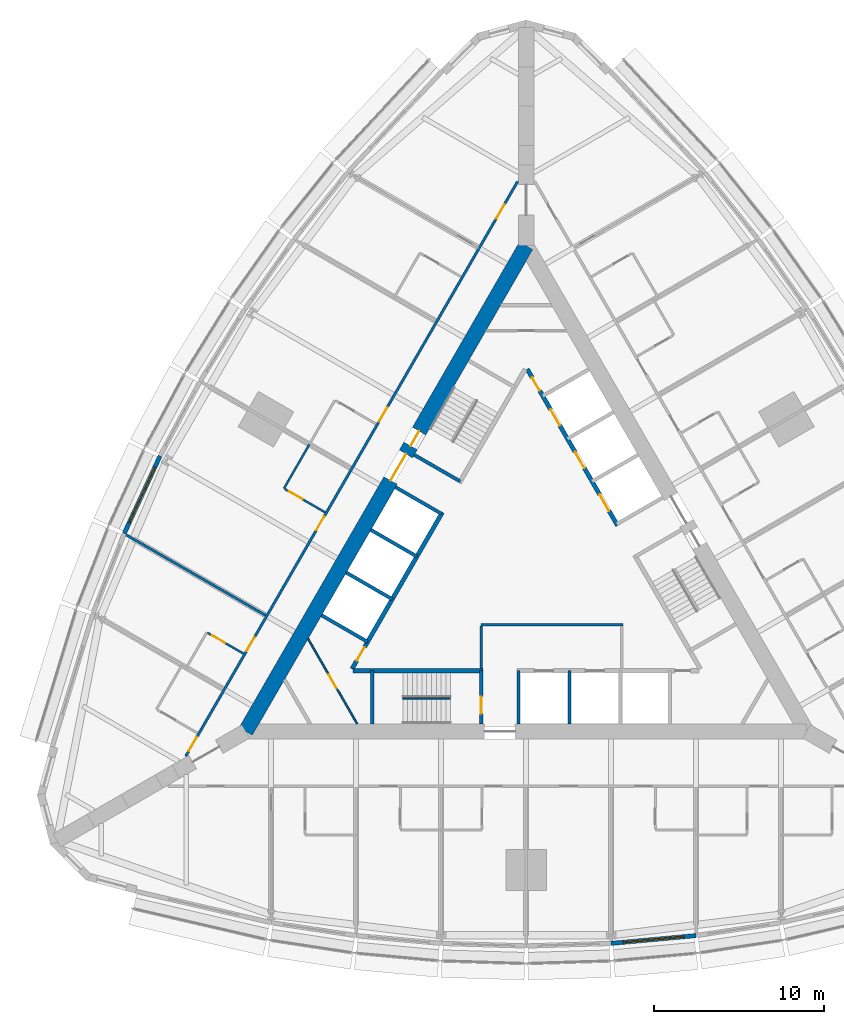
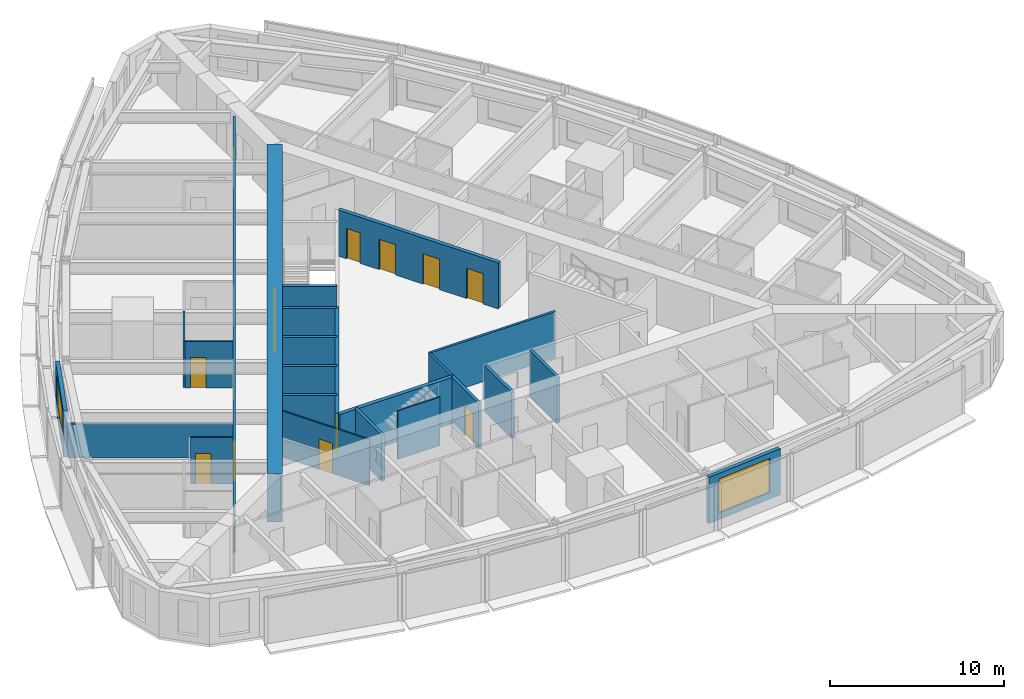
# One storey, part 9 of 14: 24 walls, 16 doors, 2 windows, 18 openings.
"""IFC4 building model written with IfcOpenShell, lengths in metres."""

from ifc_helpers import new_model, si_unit, direction, frame, frame_2d, origin, place, context, subcontext, project, spatial, rectangle, extrude, material, layer, layer_set, type_object, element, fill, save


model = new_model("IFC4")

# Units and contexts
model_context = context("Model", 3, precision=1e-05, world=origin(), true_north=direction((0.0, 1.0)))
body_context = subcontext(model_context, "Body", "Model", "MODEL_VIEW")
ifc_project = project(units=[si_unit("LENGTHUNIT", "METRE"), si_unit("AREAUNIT", "SQUARE_METRE"), si_unit("VOLUMEUNIT", "CUBIC_METRE"), si_unit("PLANEANGLEUNIT", "RADIAN"), si_unit("MASSUNIT", "GRAM", prefix="KILO")], contexts=[model_context])

# Site, building, storey
site_placement = place(None, origin())
site = spatial("IfcSite", under=ifc_project, at=site_placement, CompositionType="ELEMENT")
building_placement = place(site_placement, origin())
building = spatial("IfcBuilding", under=site, at=building_placement, Name="Trikona Tower", CompositionType="ELEMENT")
storey_placement = place(building_placement, frame((0.0, 0.0, 35.300048828125)))
storey = spatial("IfcBuildingStorey", under=building, at=storey_placement, Name="L07", CompositionType="ELEMENT", Elevation=35.300048828125)

# Wall
ifc_material_1 = material(Name="Metal stud and cement board", Category="gypsum")
ifc_layer_1 = layer(ifc_material_1, 0.1201171875)
ifc_layer_set_1 = layer_set([ifc_layer_1], Name="Bathroom wall 120")
wall_type_1 = type_object("IfcWallType", Name="Bathroom wall 120", PredefinedType="PLUMBINGWALL", material=ifc_layer_set_1)
wall_1_placement = place(storey_placement, frame((-12.75341796875, 7.363037109375, 0.0), z_axis=(0.0, 0.0, 1.0), x_axis=(-0.50002537861, -0.866010750942, 0.0)))
element("IfcWall", 1, at=wall_1_placement, inside=storey, type_object=wall_type_1, Name="Bathroom wall 0716", PredefinedType="PLUMBINGWALL", context=body_context, shape_type="SweptSolid", body=[
    extrude(rectangle(XDim=2.999755859375, YDim=0.1201171875, at=frame_2d((1.5, 0.0))), origin(), (0.0, 0.0, 1.0), 3.23486328125),
])

# Wall, opening, door
wall_2_placement = place(storey_placement, frame((-11.82861328125, 3.364990234375, 0.0), z_axis=(0.0, 0.0, 1.0), x_axis=(-0.865997131366, 0.500048966069, 0.0)))
wall_2 = element("IfcWall", 2, at=wall_2_placement, inside=storey, type_object=wall_type_1, Name="Bathroom wall 0716", PredefinedType="PLUMBINGWALL", context=body_context, shape_type="SweptSolid", body=[
    extrude(rectangle(XDim=2.739990234375, YDim=0.1201171875, at=frame_2d((1.3701171875, 0.0))), origin(), (0.0, 0.0, 1.0), 3.23486328125),
])
opening_1_placement = place(wall_2_placement, frame((1.550048828125, 0.0, 0.0)))
opening_1 = element("IfcOpeningElement", 3, at=opening_1_placement, cuts=wall_2, Name="Opening D2", PredefinedType="OPENING", context=body_context, shape_type="SweptSolid", body=[
    extrude(rectangle(XDim=0.89990234375, YDim=2.1298828125, at=frame_2d((0.449951171875, 1.06494140625))), frame((0.0, 0.070068359375, 0.0), z_axis=(0.0, -1.0, 0.0), x_axis=(1.0, 0.0, 0.0)), (0.0, 0.0, 1.0), 0.14013671875),
])
ifc_material_2 = material(Name="Steel door frame with solid-core timber leaf", Category="steel")
door_type_1 = type_object("IfcDoorType", Name="Bathroom door 900x2130", OperationType="SLIDING_TO_LEFT", PredefinedType="DOOR", material=ifc_material_2)
door_1_placement = place(opening_1_placement, origin())
door_1 = element("IfcDoor", 4, at=door_1_placement, inside=storey, type_object=door_type_1, Name="Bathroom door 0716", OperationType="SLIDING_TO_LEFT", OverallHeight=2.1298828125, OverallWidth=0.89990234375, PredefinedType="DOOR", context=body_context, shape_type="SweptSolid", body=[
    extrude(rectangle(XDim=0.89990234375, YDim=2.1298828125, at=frame_2d((0.449951171875, 1.06494140625))), frame((0.0, 0.02490234375, 0.0), z_axis=(0.0, -1.0, 0.0), x_axis=(1.0, 0.0, 0.0)), (0.0, 0.0, 1.0), 0.050048828125),
])
fill(opening_1, door_1)

wall_3_placement = place(storey_placement, frame((-16.62841796875, -4.94873046875, 0.0), z_axis=(0.0, 0.0, 1.0), x_axis=(-0.866048967903, 0.499959183527, 0.0)))
wall_3 = element("IfcWall", 5, at=wall_3_placement, inside=storey, type_object=wall_type_1, Name="Bathroom wall 0717", PredefinedType="PLUMBINGWALL", context=body_context, shape_type="SweptSolid", body=[
    extrude(rectangle(XDim=2.440185546875, YDim=0.1201171875, at=frame_2d((1.22021484375, 0.0))), origin(), (0.0, 0.0, 1.0), 3.23486328125),
])
opening_2_placement = place(wall_3_placement, frame((1.25, 0.0, 0.0)))
opening_2 = element("IfcOpeningElement", 6, at=opening_2_placement, cuts=wall_3, Name="Opening D2", PredefinedType="OPENING", context=body_context, shape_type="SweptSolid", body=[
    extrude(rectangle(XDim=0.89990234375, YDim=2.1298828125, at=frame_2d((0.449951171875, 1.06494140625))), frame((0.0, 0.070068359375, 0.0), z_axis=(0.0, -1.0, 0.0), x_axis=(1.0, 0.0, 0.0)), (0.0, 0.0, 1.0), 0.14013671875),
])
door_2_placement = place(opening_2_placement, origin())
door_2 = element("IfcDoor", 7, at=door_2_placement, inside=storey, type_object=door_type_1, Name="Bathroom door 0717", OperationType="SLIDING_TO_LEFT", OverallHeight=2.1298828125, OverallWidth=0.89990234375, PredefinedType="DOOR", context=body_context, shape_type="SweptSolid", body=[
    extrude(rectangle(XDim=0.89990234375, YDim=2.1298828125, at=frame_2d((0.449951171875, 1.06494140625))), frame((0.0, 0.02490234375, 0.0), z_axis=(0.0, -1.0, 0.0), x_axis=(1.0, 0.0, 0.0)), (0.0, 0.0, 1.0), 0.050048828125),
])
fill(opening_2, door_2)

# Wall, openings, doors
ifc_material_3 = material(Name="Concrete f'c 10000 psi", Category="concrete")
ifc_layer_2 = layer(ifc_material_3, 0.89990234375)
ifc_layer_set_2 = layer_set([ifc_layer_2], Name="Core wall 900")
wall_type_2 = type_object("IfcWallType", Name="Core wall 900", PredefinedType="SHEAR", material=ifc_layer_set_2)
wall_4_placement = place(storey_placement, frame((0.0, 19.052490234375, 0.0), z_axis=(0.0, 0.0, 1.0), x_axis=(-0.499999749417, -0.866025548458, 0.0)))
wall_4 = element("IfcWall", 8, at=wall_4_placement, inside=storey, type_object=wall_type_2, Name="Core wall C", PredefinedType="SHEAR", context=body_context, shape_type="SweptSolid", body=[
    extrude(rectangle(XDim=33.0, YDim=0.89990234375, at=frame_2d((16.5, 0.0))), origin(), (0.0, 0.0, 1.0), 3.39990234375),
])
opening_3_placement = place(wall_4_placement, frame((14.14990234375, 0.0, 0.0)))
opening_3 = element("IfcOpeningElement", 9, at=opening_3_placement, cuts=wall_4, Name="Opening D6", PredefinedType="OPENING", context=body_context, shape_type="SweptSolid", body=[
    extrude(rectangle(XDim=1.800048828125, YDim=2.1298828125, at=frame_2d((0.89990234375, 1.06494140625))), frame((0.0, 0.4599609375, 0.0), z_axis=(0.0, -1.0, 0.0), x_axis=(1.0, 0.0, 0.0)), (0.0, 0.0, 1.0), 0.919921875),
])
opening_4_placement = place(wall_4_placement, frame((12.60009765625, 0.0, 0.0)))
opening_4 = element("IfcOpeningElement", 10, at=opening_4_placement, cuts=wall_4, Name="Opening D5", PredefinedType="OPENING", context=body_context, shape_type="SweptSolid", body=[
    extrude(rectangle(XDim=1.0, YDim=2.1298828125, at=frame_2d((0.5, 1.06494140625))), frame((0.0, 0.4599609375, 0.0), z_axis=(0.0, -1.0, 0.0), x_axis=(1.0, 0.0, 0.0)), (0.0, 0.0, 1.0), 0.919921875),
])
ifc_material_4 = material(Name="Hollow metal door and frame", Category="steel")
door_type_2 = type_object("IfcDoorType", Name="Lobby door pair 1800x2130", OperationType="DOUBLE_DOOR_SINGLE_SWING", PredefinedType="DOOR", material=ifc_material_4)
door_3_placement = place(opening_3_placement, origin())
door_3 = element("IfcDoor", 11, at=door_3_placement, inside=storey, type_object=door_type_2, Name="Lift lobby door C", OperationType="DOUBLE_DOOR_SINGLE_SWING", OverallHeight=2.1298828125, OverallWidth=1.800048828125, PredefinedType="DOOR", context=body_context, shape_type="SweptSolid", body=[
    extrude(rectangle(XDim=1.800048828125, YDim=2.1298828125, at=frame_2d((0.89990234375, 1.06494140625))), frame((0.0, 0.02490234375, 0.0), z_axis=(0.0, -1.0, 0.0), x_axis=(1.0, 0.0, 0.0)), (0.0, 0.0, 1.0), 0.050048828125),
])
fill(opening_3, door_3)
ifc_material_5 = material(Name="Hollow metal door and frame", Category="steel")
door_type_3 = type_object("IfcDoorType", Name="Stair door 1000x2130", OperationType="SINGLE_SWING_LEFT", PredefinedType="DOOR", material=ifc_material_5)
door_4_placement = place(opening_4_placement, origin())
door_4 = element("IfcDoor", 12, at=door_4_placement, inside=storey, type_object=door_type_3, Name="Stair C door", OperationType="SINGLE_SWING_RIGHT", OverallHeight=2.1298828125, OverallWidth=1.0, PredefinedType="DOOR", context=body_context, shape_type="SweptSolid", body=[
    extrude(rectangle(XDim=1.0, YDim=2.1298828125, at=frame_2d((0.5, 1.06494140625))), frame((0.0, 0.02490234375, 0.0), z_axis=(0.0, -1.0, 0.0), x_axis=(1.0, 0.0, 0.0)), (0.0, 0.0, 1.0), 0.050048828125),
])
fill(opening_4, door_4)

ifc_material_6 = material(Name="Metal stud and gypsum board, 1-hour", Category="gypsum")
ifc_layer_3 = layer(ifc_material_6, 0.14990234375)
ifc_layer_set_3 = layer_set([ifc_layer_3], Name="Corridor wall 150")
wall_type_3 = type_object("IfcWallType", Name="Corridor wall 150", PredefinedType="PARTITIONING", material=ifc_layer_set_3)
wall_5_placement = place(storey_placement, frame((-0.5, 22.83642578125, 0.0), z_axis=(0.0, 0.0, 1.0), x_axis=(-0.500001677587, -0.866024435227, 0.0)))
wall_5 = element("IfcWall", 13, at=wall_5_placement, inside=storey, type_object=wall_type_3, Name="Corridor wall L07-3", PredefinedType="PARTITIONING", context=body_context, shape_type="SweptSolid", body=[
    extrude(rectangle(XDim=39.053955078125, YDim=0.14990234375, at=frame_2d((19.52685546875, 0.0))), origin(), (0.0, 0.0, 1.0), 3.23486328125),
])
opening_5_placement = place(wall_5_placement, frame((1.558349609375, 0.0, 0.0)))
opening_5 = element("IfcOpeningElement", 14, at=opening_5_placement, cuts=wall_5, Name="Opening D1", PredefinedType="OPENING", context=body_context, shape_type="SweptSolid", body=[
    extrude(rectangle(XDim=0.949951171875, YDim=2.1298828125, at=frame_2d((0.47509765625, 1.06494140625))), frame((0.0, 0.0849609375, 0.0), z_axis=(0.0, -1.0, 0.0), x_axis=(1.0, 0.0, 0.0)), (0.0, 0.0, 1.0), 0.169921875),
])
opening_6_placement = place(wall_5_placement, frame((15.35205078125, 0.0, 0.0)))
opening_6 = element("IfcOpeningElement", 15, at=opening_6_placement, cuts=wall_5, Name="Opening D1", PredefinedType="OPENING", context=body_context, shape_type="SweptSolid", body=[
    extrude(rectangle(XDim=0.949951171875, YDim=2.1298828125, at=frame_2d((0.47509765625, 1.06494140625))), frame((0.0, 0.0849609375, 0.0), z_axis=(0.0, -1.0, 0.0), x_axis=(1.0, 0.0, 0.0)), (0.0, 0.0, 1.0), 0.169921875),
])
opening_7_placement = place(wall_5_placement, frame((22.751953125, 0.0, 0.0)))
opening_7 = element("IfcOpeningElement", 16, at=opening_7_placement, cuts=wall_5, Name="Opening D1", PredefinedType="OPENING", context=body_context, shape_type="SweptSolid", body=[
    extrude(rectangle(XDim=0.949951171875, YDim=2.1298828125, at=frame_2d((0.47509765625, 1.06494140625))), frame((0.0, 0.0849609375, 0.0), z_axis=(0.0, -1.0, 0.0), x_axis=(1.0, 0.0, 0.0)), (0.0, 0.0, 1.0), 0.169921875),
])
opening_8_placement = place(wall_5_placement, frame((30.951904296875, 0.0, 0.0)))
opening_8 = element("IfcOpeningElement", 17, at=opening_8_placement, cuts=wall_5, Name="Opening D1", PredefinedType="OPENING", context=body_context, shape_type="SweptSolid", body=[
    extrude(rectangle(XDim=0.949951171875, YDim=2.1298828125, at=frame_2d((0.47509765625, 1.06494140625))), frame((0.0, 0.0849609375, 0.0), z_axis=(0.0, -1.0, 0.0), x_axis=(1.0, 0.0, 0.0)), (0.0, 0.0, 1.0), 0.169921875),
])
opening_9_placement = place(wall_5_placement, frame((37.751953125, 0.0, 0.0)))
opening_9 = element("IfcOpeningElement", 18, at=opening_9_placement, cuts=wall_5, Name="Opening D1", PredefinedType="OPENING", context=body_context, shape_type="SweptSolid", body=[
    extrude(rectangle(XDim=0.949951171875, YDim=2.1298828125, at=frame_2d((0.47509765625, 1.06494140625))), frame((0.0, 0.0849609375, 0.0), z_axis=(0.0, -1.0, 0.0), x_axis=(1.0, 0.0, 0.0)), (0.0, 0.0, 1.0), 0.169921875),
])
ifc_material_7 = material(Name="Steel door frame with solid-core timber leaf", Category="steel")
door_type_4 = type_object("IfcDoorType", Name="Guest room door 950x2130", OperationType="SINGLE_SWING_LEFT", PredefinedType="DOOR", material=ifc_material_7)
door_5_placement = place(opening_5_placement, origin())
door_5 = element("IfcDoor", 19, at=door_5_placement, inside=storey, type_object=door_type_4, Name="Room door 0714", OperationType="SINGLE_SWING_LEFT", OverallHeight=2.1298828125, OverallWidth=0.949951171875, PredefinedType="DOOR", context=body_context, shape_type="SweptSolid", body=[
    extrude(rectangle(XDim=0.949951171875, YDim=2.1298828125, at=frame_2d((0.47509765625, 1.06494140625))), frame((0.0, 0.02490234375, 0.0), z_axis=(0.0, -1.0, 0.0), x_axis=(1.0, 0.0, 0.0)), (0.0, 0.0, 1.0), 0.050048828125),
])
fill(opening_5, door_5)
door_6_placement = place(opening_6_placement, origin())
door_6 = element("IfcDoor", 20, at=door_6_placement, inside=storey, type_object=door_type_4, Name="Room door 0715", OperationType="SINGLE_SWING_RIGHT", OverallHeight=2.1298828125, OverallWidth=0.949951171875, PredefinedType="DOOR", context=body_context, shape_type="SweptSolid", body=[
    extrude(rectangle(XDim=0.949951171875, YDim=2.1298828125, at=frame_2d((0.47509765625, 1.06494140625))), frame((0.0, 0.02490234375, 0.0), z_axis=(0.0, -1.0, 0.0), x_axis=(1.0, 0.0, 0.0)), (0.0, 0.0, 1.0), 0.050048828125),
])
fill(opening_6, door_6)
door_7_placement = place(opening_7_placement, origin())
door_7 = element("IfcDoor", 21, at=door_7_placement, inside=storey, type_object=door_type_4, Name="Room door 0716", OperationType="SINGLE_SWING_LEFT", OverallHeight=2.1298828125, OverallWidth=0.949951171875, PredefinedType="DOOR", context=body_context, shape_type="SweptSolid", body=[
    extrude(rectangle(XDim=0.949951171875, YDim=2.1298828125, at=frame_2d((0.47509765625, 1.06494140625))), frame((0.0, 0.02490234375, 0.0), z_axis=(0.0, -1.0, 0.0), x_axis=(1.0, 0.0, 0.0)), (0.0, 0.0, 1.0), 0.050048828125),
])
fill(opening_7, door_7)
door_8_placement = place(opening_8_placement, origin())
door_8 = element("IfcDoor", 22, at=door_8_placement, inside=storey, type_object=door_type_4, Name="Room door 0717", OperationType="SINGLE_SWING_RIGHT", OverallHeight=2.1298828125, OverallWidth=0.949951171875, PredefinedType="DOOR", context=body_context, shape_type="SweptSolid", body=[
    extrude(rectangle(XDim=0.949951171875, YDim=2.1298828125, at=frame_2d((0.47509765625, 1.06494140625))), frame((0.0, 0.02490234375, 0.0), z_axis=(0.0, -1.0, 0.0), x_axis=(1.0, 0.0, 0.0)), (0.0, 0.0, 1.0), 0.050048828125),
])
fill(opening_8, door_8)
door_9_placement = place(opening_9_placement, origin())
door_9 = element("IfcDoor", 23, at=door_9_placement, inside=storey, type_object=door_type_4, Name="Room door 0718", OperationType="SINGLE_SWING_RIGHT", OverallHeight=2.1298828125, OverallWidth=0.949951171875, PredefinedType="DOOR", context=body_context, shape_type="SweptSolid", body=[
    extrude(rectangle(XDim=0.949951171875, YDim=2.1298828125, at=frame_2d((0.47509765625, 1.06494140625))), frame((0.0, 0.02490234375, 0.0), z_axis=(0.0, -1.0, 0.0), x_axis=(1.0, 0.0, 0.0)), (0.0, 0.0, 1.0), 0.050048828125),
])
fill(opening_9, door_9)

# Wall
ifc_material_8 = material(Name="Concrete f'c 8000 psi", Category="concrete")
ifc_layer_4 = layer(ifc_material_8, 0.25)
ifc_layer_set_4 = layer_set([ifc_layer_4], Name="Hub wall 250")
wall_type_4 = type_object("IfcWallType", Name="Hub wall 250", PredefinedType="SOLIDWALL", material=ifc_layer_set_4)
wall_6_placement = place(storey_placement, frame((-10.182861328125, -5.951416015625, 0.0), z_axis=(0.0, 0.0, 1.0), x_axis=(1.0, 0.0, 0.0)))
element("IfcWall", 24, at=wall_6_placement, inside=storey, type_object=wall_type_4, Name="Lift lobby wall A1", PredefinedType="SOLIDWALL", context=body_context, shape_type="SweptSolid", body=[
    extrude(rectangle(XDim=7.6328125, YDim=0.25, at=frame_2d((3.81640625, 0.0))), origin(), (0.0, 0.0, 1.0), 3.23486328125),
])

# Wall, openings, doors
wall_7_placement = place(storey_placement, frame((5.37890625, 2.5859375, 0.0), z_axis=(0.0, 0.0, 1.0), x_axis=(-0.500001375892, 0.866024609411, 0.0)))
wall_7 = element("IfcWall", 25, at=wall_7_placement, inside=storey, type_object=wall_type_4, Name="Lift lobby wall B2", PredefinedType="SOLIDWALL", context=body_context, shape_type="SweptSolid", body=[
    extrude(rectangle(XDim=10.6328125, YDim=0.25, at=frame_2d((5.31640625, 0.0))), origin(), (0.0, 0.0, 1.0), 3.23486328125),
])
opening_10_placement = place(wall_7_placement, frame((9.1640625, 0.0, 0.0)))
opening_10 = element("IfcOpeningElement", 26, at=opening_10_placement, cuts=wall_7, Name="Opening D14", PredefinedType="OPENING", context=body_context, shape_type="SweptSolid", body=[
    extrude(rectangle(XDim=0.89990234375, YDim=2.1298828125, at=frame_2d((0.449951171875, 1.06494140625))), frame((0.0, 0.135009765625, 0.0), z_axis=(0.0, -1.0, 0.0), x_axis=(1.0, 0.0, 0.0)), (0.0, 0.0, 1.0), 0.27001953125),
])
opening_11_placement = place(wall_7_placement, frame((1.0, 0.0, 0.0)))
opening_11 = element("IfcOpeningElement", 27, at=opening_11_placement, cuts=wall_7, Name="Opening LD", PredefinedType="OPENING", context=body_context, shape_type="SweptSolid", body=[
    extrude(rectangle(XDim=1.10009765625, YDim=2.1298828125, at=frame_2d((0.550048828125, 1.06494140625))), frame((0.0, 0.135009765625, 0.0), z_axis=(0.0, -1.0, 0.0), x_axis=(1.0, 0.0, 0.0)), (0.0, 0.0, 1.0), 0.27001953125),
])
opening_12_placement = place(wall_7_placement, frame((3.89990234375, 0.0, 0.0)))
opening_12 = element("IfcOpeningElement", 28, at=opening_12_placement, cuts=wall_7, Name="Opening LD", PredefinedType="OPENING", context=body_context, shape_type="SweptSolid", body=[
    extrude(rectangle(XDim=1.10009765625, YDim=2.1298828125, at=frame_2d((0.550048828125, 1.06494140625))), frame((0.0, 0.135009765625, 0.0), z_axis=(0.0, -1.0, 0.0), x_axis=(1.0, 0.0, 0.0)), (0.0, 0.0, 1.0), 0.27001953125),
])
opening_13_placement = place(wall_7_placement, frame((6.800048828125, 0.0, 0.0)))
opening_13 = element("IfcOpeningElement", 29, at=opening_13_placement, cuts=wall_7, Name="Opening LD", PredefinedType="OPENING", context=body_context, shape_type="SweptSolid", body=[
    extrude(rectangle(XDim=1.10009765625, YDim=2.1298828125, at=frame_2d((0.550048828125, 1.06494140625))), frame((0.0, 0.135009765625, 0.0), z_axis=(0.0, -1.0, 0.0), x_axis=(1.0, 0.0, 0.0)), (0.0, 0.0, 1.0), 0.27001953125),
])
ifc_material_9 = material(Name="Stainless steel lift landing door", Category="steel")
door_type_5 = type_object("IfcDoorType", Name="Lift landing door 1100x2130", OperationType="DOUBLE_DOOR_SLIDING", PredefinedType="USERDEFINED", material=ifc_material_9)
door_10_placement = place(opening_11_placement, origin())
door_10 = element("IfcDoor", 30, at=door_10_placement, inside=storey, type_object=door_type_5, Name="Lift landing door L1-1", ObjectType="LIFT LANDING DOOR", OperationType="DOUBLE_DOOR_SLIDING", OverallHeight=2.1298828125, OverallWidth=1.10009765625, PredefinedType="USERDEFINED", context=body_context, shape_type="SweptSolid", body=[
    extrude(rectangle(XDim=1.10009765625, YDim=2.1298828125, at=frame_2d((0.550048828125, 1.06494140625))), frame((0.0, 0.02490234375, 0.0), z_axis=(0.0, -1.0, 0.0), x_axis=(1.0, 0.0, 0.0)), (0.0, 0.0, 1.0), 0.050048828125),
])
fill(opening_11, door_10)
door_11_placement = place(opening_12_placement, origin())
door_11 = element("IfcDoor", 31, at=door_11_placement, inside=storey, type_object=door_type_5, Name="Lift landing door L1-2", ObjectType="LIFT LANDING DOOR", OperationType="DOUBLE_DOOR_SLIDING", OverallHeight=2.1298828125, OverallWidth=1.10009765625, PredefinedType="USERDEFINED", context=body_context, shape_type="SweptSolid", body=[
    extrude(rectangle(XDim=1.10009765625, YDim=2.1298828125, at=frame_2d((0.550048828125, 1.06494140625))), frame((0.0, 0.02490234375, 0.0), z_axis=(0.0, -1.0, 0.0), x_axis=(1.0, 0.0, 0.0)), (0.0, 0.0, 1.0), 0.050048828125),
])
fill(opening_12, door_11)
door_12_placement = place(opening_13_placement, origin())
door_12 = element("IfcDoor", 32, at=door_12_placement, inside=storey, type_object=door_type_5, Name="Lift landing door L1-3", ObjectType="LIFT LANDING DOOR", OperationType="DOUBLE_DOOR_SLIDING", OverallHeight=2.1298828125, OverallWidth=1.10009765625, PredefinedType="USERDEFINED", context=body_context, shape_type="SweptSolid", body=[
    extrude(rectangle(XDim=1.10009765625, YDim=2.1298828125, at=frame_2d((0.550048828125, 1.06494140625))), frame((0.0, 0.02490234375, 0.0), z_axis=(0.0, -1.0, 0.0), x_axis=(1.0, 0.0, 0.0)), (0.0, 0.0, 1.0), 0.050048828125),
])
fill(opening_13, door_12)
ifc_material_10 = material(Name="Hollow metal door and frame", Category="steel")
door_type_6 = type_object("IfcDoorType", Name="Service room door 900x2130", OperationType="SINGLE_SWING_LEFT", PredefinedType="DOOR", material=ifc_material_10)
door_13_placement = place(opening_10_placement, origin())
door_13 = element("IfcDoor", 33, at=door_13_placement, inside=storey, type_object=door_type_6, Name="Door Housekeeping store HKS", OperationType="SINGLE_SWING_RIGHT", OverallHeight=2.1298828125, OverallWidth=0.89990234375, PredefinedType="DOOR", context=body_context, shape_type="SweptSolid", body=[
    extrude(rectangle(XDim=0.89990234375, YDim=2.1298828125, at=frame_2d((0.449951171875, 1.06494140625))), frame((0.0, 0.02490234375, 0.0), z_axis=(0.0, -1.0, 0.0), x_axis=(1.0, 0.0, 0.0)), (0.0, 0.0, 1.0), 0.050048828125),
])
fill(opening_10, door_13)

# Wall, opening, door
wall_8_placement = place(storey_placement, frame((-4.928955078125, 3.365478515625, 0.0), z_axis=(0.0, 0.0, 1.0), x_axis=(-0.499991433582, -0.866030349552, 0.0)))
wall_8 = element("IfcWall", 34, at=wall_8_placement, inside=storey, type_object=wall_type_4, Name="Lift lobby wall C2", PredefinedType="SOLIDWALL", context=body_context, shape_type="SweptSolid", body=[
    extrude(rectangle(XDim=10.633056640625, YDim=0.25, at=frame_2d((5.31640625, 0.0))), origin(), (0.0, 0.0, 1.0), 3.23486328125),
])
opening_14_placement = place(wall_8_placement, frame((9.1640625, 0.0, 0.0)))
opening_14 = element("IfcOpeningElement", 35, at=opening_14_placement, cuts=wall_8, Name="Opening D14", PredefinedType="OPENING", context=body_context, shape_type="SweptSolid", body=[
    extrude(rectangle(XDim=0.89990234375, YDim=2.1298828125, at=frame_2d((0.449951171875, 1.06494140625))), frame((0.0, 0.135009765625, 0.0), z_axis=(0.0, -1.0, 0.0), x_axis=(1.0, 0.0, 0.0)), (0.0, 0.0, 1.0), 0.27001953125),
])
door_14_placement = place(opening_14_placement, origin())
door_14 = element("IfcDoor", 36, at=door_14_placement, inside=storey, type_object=door_type_6, Name="Door Ice and vending ICE", OperationType="SINGLE_SWING_RIGHT", OverallHeight=2.1298828125, OverallWidth=0.89990234375, PredefinedType="DOOR", context=body_context, shape_type="SweptSolid", body=[
    extrude(rectangle(XDim=0.89990234375, YDim=2.1298828125, at=frame_2d((0.449951171875, 1.06494140625))), frame((0.0, 0.02490234375, 0.0), z_axis=(0.0, -1.0, 0.0), x_axis=(1.0, 0.0, 0.0)), (0.0, 0.0, 1.0), 0.050048828125),
])
fill(opening_14, door_14)

# Wall, opening, window
ifc_material_11 = material(Name="Insulated precast concrete spandrel panel", Category="concrete")
ifc_layer_5 = layer(ifc_material_11, 0.25)
ifc_layer_set_5 = layer_set([ifc_layer_5], Name="Inner skin wall 250")
wall_type_5 = type_object("IfcWallType", Name="Inner skin wall 250", PredefinedType="STANDARD", material=ifc_layer_set_5)
wall_9_placement = place(storey_placement, frame((4.988525390625, -21.995849609375, 0.0), z_axis=(0.0, 0.0, 1.0), x_axis=(0.995857256774, 0.090930325692, 0.0)))
wall_9 = element("IfcWall", 37, at=wall_9_placement, inside=storey, type_object=wall_type_5, Name="External wall L07-05", PredefinedType="STANDARD", context=body_context, shape_type="SweptSolid", body=[
    extrude(rectangle(XDim=5.020751953125, YDim=0.25, at=frame_2d((2.51025390625, 0.0))), origin(), (0.0, 0.0, 1.0), 3.23486328125),
])
opening_15_placement = place(wall_9_placement, frame((0.71044921875, 0.0, 0.449951171875)))
opening_15 = element("IfcOpeningElement", 38, at=opening_15_placement, cuts=wall_9, Name="Opening W3624", PredefinedType="OPENING", context=body_context, shape_type="SweptSolid", body=[
    extrude(rectangle(XDim=3.60009765625, YDim=2.39990234375, at=frame_2d((1.800048828125, 1.199951171875))), frame((0.0, 0.135009765625, 0.0), z_axis=(0.0, -1.0, 0.0), x_axis=(1.0, 0.0, 0.0)), (0.0, 0.0, 1.0), 0.27001953125),
])
ifc_material_12 = material(Name="Aluminium-framed double glazing", Category="aluminium")
window_type = type_object("IfcWindowType", Name="Window 3600x2400", PartitioningType="SINGLE_PANEL", PredefinedType="WINDOW", material=ifc_material_12)
window_1_placement = place(opening_15_placement, origin())
window_1 = element("IfcWindow", 39, at=window_1_placement, inside=storey, type_object=window_type, Name="Window 0704", OverallHeight=2.39990234375, OverallWidth=3.60009765625, PartitioningType="SINGLE_PANEL", PredefinedType="WINDOW", context=body_context, shape_type="SweptSolid", body=[
    extrude(rectangle(XDim=3.60009765625, YDim=2.39990234375, at=frame_2d((1.800048828125, 1.199951171875))), frame((0.0, 0.030029296875, 0.0), z_axis=(0.0, -1.0, 0.0), x_axis=(1.0, 0.0, 0.0)), (0.0, 0.0, 1.0), 0.06005859375),
])
fill(opening_15, window_1)

wall_10_placement = place(storey_placement, frame((-21.543212890625, 6.677734375, 0.0), z_axis=(0.0, 0.0, 1.0), x_axis=(-0.419203100754, -0.907892482796, 0.0)))
wall_10 = element("IfcWall", 40, at=wall_10_placement, inside=storey, type_object=wall_type_5, Name="External wall L07-29", PredefinedType="STANDARD", context=body_context, shape_type="SweptSolid", body=[
    extrude(rectangle(XDim=5.020751953125, YDim=0.25, at=frame_2d((2.51025390625, 0.0))), origin(), (0.0, 0.0, 1.0), 3.23486328125),
])
opening_16_placement = place(wall_10_placement, frame((0.71044921875, 0.0, 0.449951171875)))
opening_16 = element("IfcOpeningElement", 41, at=opening_16_placement, cuts=wall_10, Name="Opening W3624", PredefinedType="OPENING", context=body_context, shape_type="SweptSolid", body=[
    extrude(rectangle(XDim=3.60009765625, YDim=2.39990234375, at=frame_2d((1.800048828125, 1.199951171875))), frame((0.0, 0.135009765625, 0.0), z_axis=(0.0, -1.0, 0.0), x_axis=(1.0, 0.0, 0.0)), (0.0, 0.0, 1.0), 0.27001953125),
])
window_2_placement = place(opening_16_placement, origin())
window_2 = element("IfcWindow", 42, at=window_2_placement, inside=storey, type_object=window_type, Name="Window 0716", OverallHeight=2.39990234375, OverallWidth=3.60009765625, PartitioningType="SINGLE_PANEL", PredefinedType="WINDOW", context=body_context, shape_type="SweptSolid", body=[
    extrude(rectangle(XDim=3.60009765625, YDim=2.39990234375, at=frame_2d((1.800048828125, 1.199951171875))), frame((0.0, 0.030029296875, 0.0), z_axis=(0.0, -1.0, 0.0), x_axis=(1.0, 0.0, 0.0)), (0.0, 0.0, 1.0), 0.06005859375),
])
fill(opening_16, window_2)

# Walls
ifc_material_13 = material(Name="Metal stud and gypsum board, 2-hour shaft wall", Category="gypsum")
ifc_layer_6 = layer(ifc_material_13, 0.14990234375)
ifc_layer_set_6 = layer_set([ifc_layer_6], Name="Lobby wall 150")
wall_type_6 = type_object("IfcWallType", Name="Lobby wall 150", PredefinedType="PARTITIONING", material=ifc_layer_set_6)
wall_11_placement = place(storey_placement, frame((-2.64990234375, -3.251220703125, 0.0), z_axis=(0.0, 0.0, 1.0), x_axis=(1.0, 0.0, 0.0)))
element("IfcWall", 43, at=wall_11_placement, inside=storey, type_object=wall_type_6, Name="Fire service lift lobby wall 1", PredefinedType="PARTITIONING", context=body_context, shape_type="SweptSolid", body=[
    extrude(rectangle(XDim=8.349853515625, YDim=0.14990234375, at=frame_2d((4.1748046875, 0.0))), origin(), (0.0, 0.0, 1.0), 3.23486328125),
])
wall_12_placement = place(storey_placement, frame((-2.64990234375, -5.826416015625, 0.0), z_axis=(0.0, 0.0, 1.0), x_axis=(0.0, 1.0, 0.0)))
element("IfcWall", 44, at=wall_12_placement, inside=storey, type_object=wall_type_6, Name="Fire service lift lobby wall 2", PredefinedType="PARTITIONING", context=body_context, shape_type="SweptSolid", body=[
    extrude(rectangle(XDim=2.5, YDim=0.14990234375, at=frame_2d((1.25, 0.0))), origin(), (0.0, 0.0, 1.0), 3.23486328125),
])
ifc_material_14 = material(Name="Metal stud and gypsum board, 1-hour acoustic", Category="gypsum")
ifc_layer_7 = layer(ifc_material_14, 0.14990234375)
ifc_layer_set_7 = layer_set([ifc_layer_7], Name="Party wall 150")
wall_type_7 = type_object("IfcWallType", Name="Party wall 150", PredefinedType="PARTITIONING", material=ifc_layer_set_7)
wall_13_placement = place(storey_placement, frame((-15.32861328125, -2.697021484375, 0.0), z_axis=(0.0, 0.0, 1.0), x_axis=(-0.866018409083, 0.500012114982, 0.0)))
element("IfcWall", 45, at=wall_13_placement, inside=storey, type_object=wall_type_7, Name="Partition L07 F3 u10", PredefinedType="PARTITIONING", context=body_context, shape_type="SweptSolid", body=[
    extrude(rectangle(XDim=9.484619140625, YDim=0.14990234375, at=frame_2d((4.7421875, 0.0))), origin(), (0.0, 0.0, 1.0), 2.38916015625),
])
ifc_material_15 = material(Name="Concrete f'c 8000 psi", Category="concrete")
ifc_layer_8 = layer(ifc_material_15, 0.199951171875)
ifc_layer_set_8 = layer_set([ifc_layer_8], Name="Shaft wall 200")
wall_type_8 = type_object("IfcWallType", Name="Shaft wall 200", PredefinedType="SOLIDWALL", material=ifc_layer_set_8)
for number, where, z_axis, x_axis, name in (
    (46, (-0.449951171875, -5.951416015625, 0.0), (0.0, 0.0, 1.0), (0.0, -1.0, 0.0), "Shaft wall A3"),
    (47, (2.550048828125, -5.951416015625, 0.0), (0.0, 0.0, 1.0), (0.0, -1.0, 0.0), "Shaft wall A4"),
    (48, (-4.97900390625, 3.27880859375, 0.0), (0.0, 0.0, 1.0), (-0.866022959057, 0.500004234368, 0.0), "Shaft wall C3"),
    (49, (-6.428955078125, 0.767333984375, 0.0), (0.0, 0.0, 1.0), (-0.866022959057, 0.500004234368, 0.0), "Shaft wall C4"),
    (50, (-7.87890625, -1.744140625, 0.0), (0.0, 0.0, 1.0), (-0.866022959057, 0.500004234368, 0.0), "Shaft wall C5"),
    (51, (-9.3291015625, -4.255615234375, 0.0), (0.0, 0.0, 1.0), (-0.866022959057, 0.500004234368, 0.0), "Shaft wall C6"),
):
    element("IfcWall", number, at=place(storey_placement, frame(where, z_axis=z_axis, x_axis=x_axis)), inside=storey, type_object=wall_type_8, Name=name, PredefinedType="SOLIDWALL", context=body_context, shape_type="SweptSolid", body=[
        extrude(rectangle(XDim=3.125, YDim=0.199951171875, at=frame_2d((1.5625, 0.0))), origin(), (0.0, 0.0, 1.0), 3.23486328125),
    ])
ifc_material_16 = material(Name="Concrete f'c 8000 psi", Category="concrete")
ifc_layer_9 = layer(ifc_material_16, 0.199951171875)
ifc_layer_set_9 = layer_set([ifc_layer_9], Name="Shaft wall 200 load-bearing")
wall_type_9 = type_object("IfcWallType", Name="Shaft wall 200 load-bearing", PredefinedType="SOLIDWALL", material=ifc_layer_set_9)
wall_14_placement = place(storey_placement, frame((-9.050048828125, -5.951416015625, 0.0), z_axis=(0.0, 0.0, 1.0), x_axis=(0.0, -1.0, 0.0)))
element("IfcWall", 52, at=wall_14_placement, inside=storey, type_object=wall_type_9, Name="Shaft wall A1", PredefinedType="SOLIDWALL", context=body_context, shape_type="SweptSolid", body=[
    extrude(rectangle(XDim=3.125, YDim=0.199951171875, at=frame_2d((1.5625, 0.0))), origin(), (0.0, 0.0, 1.0), 3.23486328125),
])

# Wall, opening, door
wall_15_placement = place(storey_placement, frame((-2.64990234375, -5.951416015625, 0.0), z_axis=(0.0, 0.0, 1.0), x_axis=(0.0, -1.0, 0.0)))
wall_15 = element("IfcWall", 53, at=wall_15_placement, inside=storey, type_object=wall_type_9, Name="Shaft wall A2", PredefinedType="SOLIDWALL", context=body_context, shape_type="SweptSolid", body=[
    extrude(rectangle(XDim=3.125, YDim=0.199951171875, at=frame_2d((1.5625, 0.0))), origin(), (0.0, 0.0, 1.0), 3.23486328125),
])
opening_17_placement = place(wall_15_placement, frame((1.52490234375, 0.0, 0.0)))
opening_17 = element("IfcOpeningElement", 54, at=opening_17_placement, cuts=wall_15, Name="Opening D5", PredefinedType="OPENING", context=body_context, shape_type="SweptSolid", body=[
    extrude(rectangle(XDim=1.0, YDim=2.1298828125, at=frame_2d((0.5, 1.06494140625))), frame((0.0, 0.10986328125, 0.0), z_axis=(0.0, -1.0, 0.0), x_axis=(1.0, 0.0, 0.0)), (0.0, 0.0, 1.0), 0.219970703125),
])
door_15_placement = place(opening_17_placement, origin())
door_15 = element("IfcDoor", 55, at=door_15_placement, inside=storey, type_object=door_type_3, Name="Stair A door", OperationType="SINGLE_SWING_RIGHT", OverallHeight=2.1298828125, OverallWidth=1.0, PredefinedType="DOOR", context=body_context, shape_type="SweptSolid", body=[
    extrude(rectangle(XDim=1.0, YDim=2.1298828125, at=frame_2d((0.5, 1.06494140625))), frame((0.0, 0.02490234375, 0.0), z_axis=(0.0, -1.0, 0.0), x_axis=(1.0, 0.0, 0.0)), (0.0, 0.0, 1.0), 0.050048828125),
])
fill(opening_17, door_15)

# Walls
wall_16_placement = place(storey_placement, frame((-3.87890625, 5.18408203125, 0.0), z_axis=(0.0, 0.0, 1.0), x_axis=(-0.866022959057, 0.500004234368, 0.0)))
element("IfcWall", 56, at=wall_16_placement, inside=storey, type_object=wall_type_9, Name="Shaft wall C2", PredefinedType="SOLIDWALL", context=body_context, shape_type="SweptSolid", body=[
    extrude(rectangle(XDim=3.125, YDim=0.199951171875, at=frame_2d((1.5625, 0.0))), origin(), (0.0, 0.0, 1.0), 3.23486328125),
])
ifc_material_17 = material(Name="Concrete f'c 5000 psi", Category="concrete")
ifc_layer_10 = layer(ifc_material_17, 0.10009765625)
ifc_layer_set_10 = layer_set([ifc_layer_10], Name="Stair spine wall 100")
wall_type_10 = type_object("IfcWallType", Name="Stair spine wall 100", PredefinedType="SOLIDWALL", material=ifc_layer_set_10)
wall_17_placement = place(storey_placement, frame((-7.2470703125, -7.576416015625, 0.0), z_axis=(0.0, 0.0, 1.0), x_axis=(1.0, 0.0, 0.0)))
element("IfcWall", 57, at=wall_17_placement, inside=storey, type_object=wall_type_10, Name="Stair A spine wall L07", PredefinedType="SOLIDWALL", context=body_context, shape_type="SweptSolid", body=[
    extrude(rectangle(XDim=2.794189453125, YDim=0.10009765625, at=frame_2d((1.39697265625, 0.0))), origin(), (0.0, 0.0, 1.0), 3.39990234375),
])

# Wall, opening, door
ifc_material_18 = material(Name="Metal stud and gypsum board, acoustic", Category="gypsum")
ifc_layer_11 = layer(ifc_material_18, 0.10009765625)
ifc_layer_set_11 = layer_set([ifc_layer_11], Name="Suite partition 100")
wall_type_11 = type_object("IfcWallType", Name="Suite partition 100", PredefinedType="PARTITIONING", material=ifc_layer_set_11)
wall_18_placement = place(storey_placement, frame((-9.947021484375, -9.076416015625, 0.0), z_axis=(0.0, 0.0, 1.0), x_axis=(-0.500027479704, 0.866009537788, 0.0)))
wall_18 = element("IfcWall", 58, at=wall_18_placement, inside=storey, type_object=wall_type_11, Name="Store partition L07-RS3", PredefinedType="PARTITIONING", context=body_context, shape_type="SweptSolid", body=[
    extrude(rectangle(XDim=5.773681640625, YDim=0.10009765625, at=frame_2d((2.88671875, 0.0))), origin(), (0.0, 0.0, 1.0), 3.23486328125),
])
opening_18_placement = place(wall_18_placement, frame((2.436767578125, 0.0, 0.0)))
opening_18 = element("IfcOpeningElement", 59, at=opening_18_placement, cuts=wall_18, Name="Opening D15", PredefinedType="OPENING", context=body_context, shape_type="SweptSolid", body=[
    extrude(rectangle(XDim=0.89990234375, YDim=2.1298828125, at=frame_2d((0.449951171875, 1.06494140625))), frame((0.0, 0.06005859375, 0.0), z_axis=(0.0, -1.0, 0.0), x_axis=(1.0, 0.0, 0.0)), (0.0, 0.0, 1.0), 0.1201171875),
])
ifc_material_19 = material(Name="Steel door frame with solid-core timber leaf", Category="steel")
door_type_7 = type_object("IfcDoorType", Name="Store door 900x2130", OperationType="SINGLE_SWING_LEFT", PredefinedType="DOOR", material=ifc_material_19)
door_16_placement = place(opening_18_placement, origin())
door_16 = element("IfcDoor", 60, at=door_16_placement, inside=storey, type_object=door_type_7, Name="Door Cleaner's store CLN", OperationType="SINGLE_SWING_RIGHT", OverallHeight=2.1298828125, OverallWidth=0.89990234375, PredefinedType="DOOR", context=body_context, shape_type="SweptSolid", body=[
    extrude(rectangle(XDim=0.89990234375, YDim=2.1298828125, at=frame_2d((0.449951171875, 1.06494140625))), frame((0.0, 0.02490234375, 0.0), z_axis=(0.0, -1.0, 0.0), x_axis=(1.0, 0.0, 0.0)), (0.0, 0.0, 1.0), 0.050048828125),
])
fill(opening_18, door_16)

save(model, "model.ifc")
